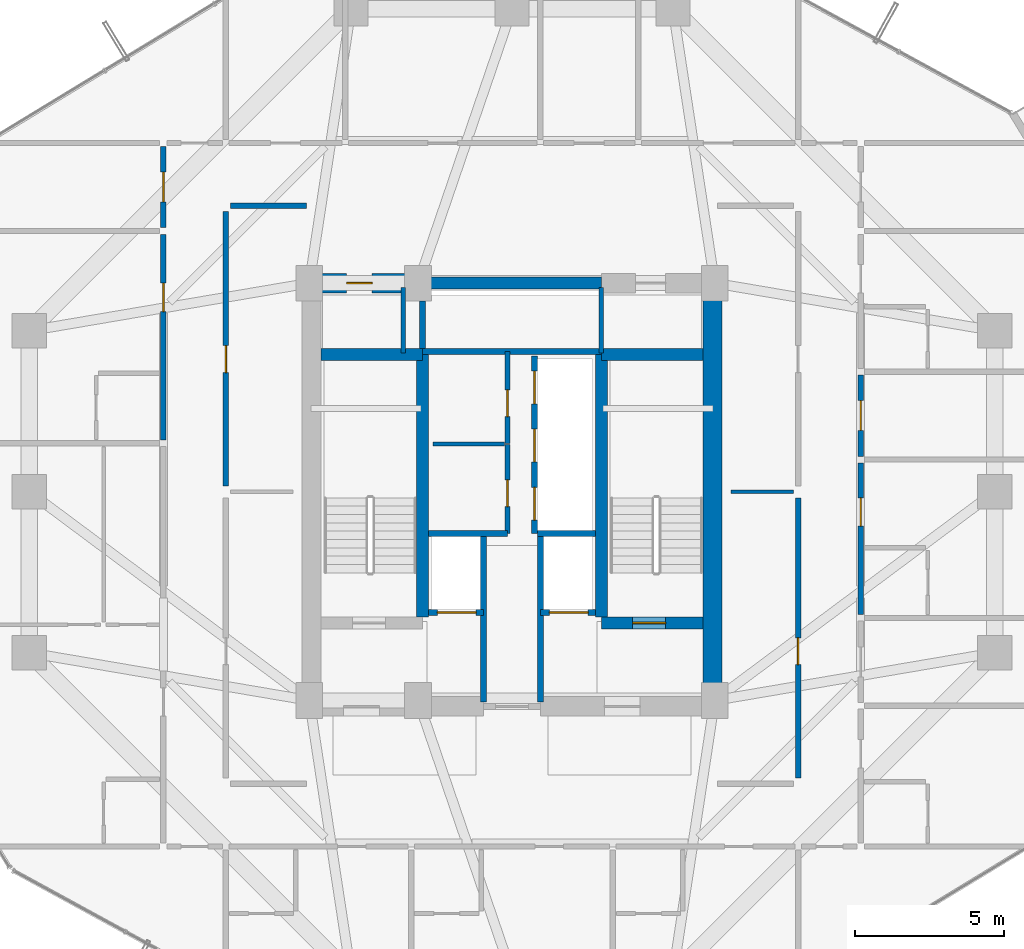
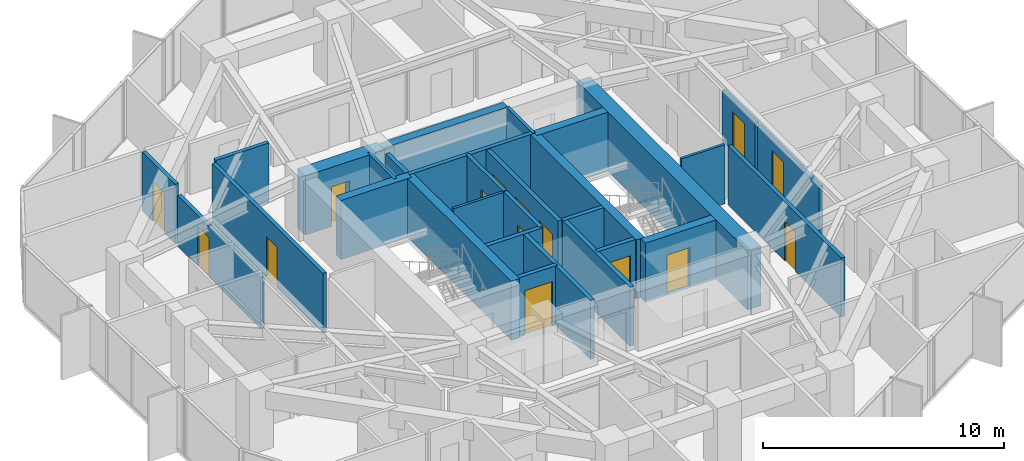
# One storey, part 27 of 31: 30 walls, 15 doors, 15 openings.
"""IFC4 building model written with IfcOpenShell, lengths in metres."""

from ifc_helpers import new_model, si_unit, direction, frame, frame_2d, origin, place, context, subcontext, project, spatial, rectangle, extrude, source, transform, mapped, material, layer, layer_set, type_object, element, fill, save


model = new_model("IFC4")

# Units and contexts
model_context = context("Model", 3, precision=1e-05, world=origin(), true_north=direction((0.0, 1.0)))
body_context = subcontext(model_context, "Body", "Model", "MODEL_VIEW")
ifc_project = project(units=[si_unit("LENGTHUNIT", "METRE"), si_unit("AREAUNIT", "SQUARE_METRE"), si_unit("VOLUMEUNIT", "CUBIC_METRE"), si_unit("PLANEANGLEUNIT", "RADIAN"), si_unit("MASSUNIT", "GRAM", prefix="KILO")], contexts=[model_context])

# Site, building, storey
site_placement = place(None, origin())
site = spatial("IfcSite", under=ifc_project, at=site_placement, CompositionType="ELEMENT")
building_placement = place(site_placement, origin())
building = spatial("IfcBuilding", under=site, at=building_placement, Name="Veraguas Prism Commons", CompositionType="ELEMENT")
storey_placement = place(building_placement, frame((0.0, 0.0, 132.75)))
storey = spatial("IfcBuildingStorey", under=building, at=storey_placement, Name="L37", CompositionType="ELEMENT", Elevation=132.75)

# Wall
ifc_material_1 = material(Name="Concrete C50/60", Category="concrete")
ifc_layer_1 = layer(ifc_material_1, 0.39990234375, Name="Clinic and Mid Core Shear Wall RC 400", Category="concrete")
ifc_layer_set_1 = layer_set([ifc_layer_1], Name="Concrete C50/60")
wall_type_1 = type_object("IfcWallType", Name="Clinic and Mid Core Shear Wall RC 400", PredefinedType="SHEAR", material=ifc_layer_set_1)
wall_1_placement = place(storey_placement, frame((21.0, 31.0, 0.0), z_axis=(0.0, 0.0, 1.0), x_axis=(1.0, 0.0, 0.0)))
element("IfcWall", 1, at=wall_1_placement, inside=storey, type_object=wall_type_1, Name="High-Rise Lift Bank Front Shear Wall L37", PredefinedType="SHEAR", context=body_context, shape_type="SweptSolid", body=[
    extrude(rectangle(XDim=6.0, YDim=0.39990234375, at=frame_2d((3.0, 0.0))), origin(), (0.0, 0.0, 1.0), 3.0),
])

# Wall, opening, door
wall_2_placement = place(storey_placement, frame((27.0, 19.60009765625, 0.0), z_axis=(0.0, 0.0, 1.0), x_axis=(1.0, 0.0, 0.0)))
wall_2 = element("IfcWall", 2, at=wall_2_placement, inside=storey, type_object=wall_type_1, Name="Stair ST-02 South Shear Wall L37", PredefinedType="SHEAR", context=body_context, shape_type="SweptSolid", body=[
    extrude(rectangle(XDim=3.39990234375, YDim=0.39990234375, at=frame_2d((1.699951171875, 0.0))), origin(), (0.0, 0.0, 1.0), 3.0),
])
opening_1_placement = place(wall_2_placement, frame((1.050048828125, 0.0, 0.0)))
opening_1 = element("IfcOpeningElement", 3, at=opening_1_placement, cuts=wall_2, Name="Opening DR-05", PredefinedType="OPENING", context=body_context, shape_type="SweptSolid", body=[
    extrude(rectangle(XDim=1.10009765625, YDim=2.030029296875, at=frame_2d((0.550048828125, 1.01513671875))), frame((0.0, 0.2099609375, 0.0), z_axis=(0.0, -1.0, 0.0), x_axis=(1.0, 0.0, 0.0)), (0.0, 0.0, 1.0), 0.419921875),
])
ifc_material_2 = material(Name="Steel fire-rated door assembly", Category="steel")
door_type_1 = type_object("IfcDoorType", Name="Protected Stair and Refuge Fire Door 1100x2030", OperationType="NOTDEFINED", PredefinedType="DOOR", material=ifc_material_2)
shared_shape_1 = source(origin(), body_context, "Body", "SweptSolid", [
    extrude(rectangle(XDim=1.10009765625, YDim=2.030029296875, at=frame_2d((0.550048828125, 1.01513671875))), frame((0.0, 0.02490234375, 0.0), z_axis=(0.0, -1.0, 0.0), x_axis=(1.0, 0.0, 0.0)), (0.0, 0.0, 1.0), 0.050048828125),
])
door_1_placement = place(opening_1_placement, origin())
door_1 = element("IfcDoor", 4, at=door_1_placement, inside=storey, type_object=door_type_1, Name="Stair ST-02 Enclosure Door L37", OperationType="SINGLE_SWING_RIGHT", OverallHeight=2.030029296875, OverallWidth=1.10009765625, PredefinedType="DOOR", context=body_context, shape_type="MappedRepresentation", body=[
    mapped(shared_shape_1, transform((0.0, 0.0, 0.0), scale=1.0)),
])
fill(opening_1, door_1)

# Walls
for number, where, z_axis, x_axis, name in (
    (5, (21.0, 19.800048828125, 0.0), (0.0, 0.0, 1.0), (0.0, 1.0, 0.0), "Stair ST-01 Inner Shear Wall L37"),
    (6, (27.0, 19.800048828125, 0.0), (0.0, 0.0, 1.0), (0.0, 1.0, 0.0), "Stair ST-02 Inner Shear Wall L37"),
):
    element("IfcWall", number, at=place(storey_placement, frame(where, z_axis=z_axis, x_axis=x_axis)), inside=storey, type_object=wall_type_1, Name=name, PredefinedType="SHEAR", context=body_context, shape_type="SweptSolid", body=[
        extrude(rectangle(XDim=8.800048828125, YDim=0.39990234375, at=frame_2d((4.39990234375, 0.0))), origin(), (0.0, 0.0, 1.0), 3.0),
    ])
for number, where, z_axis, x_axis, name in (
    (7, (17.60009765625, 28.60009765625, 0.0), (0.0, 0.0, 1.0), (1.0, 0.0, 0.0), "Stair ST-01 North Shear Wall L37"),
    (8, (27.0, 28.60009765625, 0.0), (0.0, 0.0, 1.0), (1.0, 0.0, 0.0), "Stair ST-02 North Shear Wall L37"),
):
    element("IfcWall", number, at=place(storey_placement, frame(where, z_axis=z_axis, x_axis=x_axis)), inside=storey, type_object=wall_type_1, Name=name, PredefinedType="SHEAR", context=body_context, shape_type="SweptSolid", body=[
        extrude(rectangle(XDim=3.39990234375, YDim=0.39990234375, at=frame_2d((1.699951171875, 0.0))), origin(), (0.0, 0.0, 1.0), 3.0),
    ])
ifc_material_3 = material(Name="Concrete C55/67", Category="concrete")
ifc_layer_2 = layer(ifc_material_3, 0.64990234375, Name="Core Outer Shear Wall Mid RC 650", Category="concrete")
ifc_layer_set_2 = layer_set([ifc_layer_2], Name="Concrete C55/67")
wall_type_2 = type_object("IfcWallType", Name="Core Outer Shear Wall Mid RC 650", PredefinedType="SHEAR", material=ifc_layer_set_2)
wall_3_placement = place(storey_placement, frame((30.72509765625, 16.800048828125, 0.0), z_axis=(0.0, 0.0, 1.0), x_axis=(0.0, 1.0, 0.0)))
element("IfcWall", 9, at=wall_3_placement, inside=storey, type_object=wall_type_2, Name="Central Core East Shear Wall L37", PredefinedType="SHEAR", context=body_context, shape_type="SweptSolid", body=[
    extrude(rectangle(XDim=14.199951171875, YDim=0.64990234375, at=frame_2d((7.10009765625, 0.0))), origin(), (0.0, 0.0, 1.0), 3.0),
])

# Wall, opening, door
wall_4_placement = place(storey_placement, frame((17.199951171875, 31.0, 0.0), z_axis=(0.0, 0.0, 1.0), x_axis=(1.0, 0.0, 0.0)))
wall_4 = element("IfcWall", 10, at=wall_4_placement, inside=storey, type_object=wall_type_2, Name="Central Core North-West Shear Wall L37", PredefinedType="SHEAR", context=body_context, shape_type="SweptSolid", body=[
    extrude(rectangle(XDim=3.800048828125, YDim=0.64990234375, at=frame_2d((1.89990234375, 0.0))), origin(), (0.0, 0.0, 1.0), 3.0),
])
opening_2_placement = place(wall_4_placement, frame((1.25, 0.0, 0.0)))
opening_2 = element("IfcOpeningElement", 11, at=opening_2_placement, cuts=wall_4, Name="Opening DR-12", PredefinedType="OPENING", context=body_context, shape_type="SweptSolid", body=[
    extrude(rectangle(XDim=0.860107421875, YDim=2.010009765625, at=frame_2d((0.43017578125, 1.0048828125))), frame((0.0, 0.3349609375, 0.0), z_axis=(0.0, -1.0, 0.0), x_axis=(1.0, 0.0, 0.0)), (0.0, 0.0, 1.0), 0.669921875),
])
door_type_2 = type_object("IfcDoorType", Name="Core WC Fire Door 860x2010", OperationType="NOTDEFINED", PredefinedType="DOOR", material=ifc_material_2)
shared_shape_2 = source(origin(), body_context, "Body", "SweptSolid", [
    extrude(rectangle(XDim=0.860107421875, YDim=2.010009765625, at=frame_2d((0.43017578125, 1.0048828125))), frame((0.0, 0.02490234375, 0.0), z_axis=(0.0, -1.0, 0.0), x_axis=(1.0, 0.0, 0.0)), (0.0, 0.0, 1.0), 0.050048828125),
])
door_2_placement = place(opening_2_placement, origin())
door_2 = element("IfcDoor", 12, at=door_2_placement, inside=storey, type_object=door_type_2, Name="Core NW Service Door L37", OperationType="SINGLE_SWING_LEFT", OverallHeight=2.010009765625, OverallWidth=0.860107421875, PredefinedType="DOOR", context=body_context, shape_type="MappedRepresentation", body=[
    mapped(shared_shape_2, transform((0.0, 0.0, 0.0), scale=1.0)),
])
fill(opening_2, door_2)

ifc_material_4 = material(Name="Autoclaved aerated masonry block 10 MPa", Category="masonry")
ifc_layer_3 = layer(ifc_material_4, 0.179931640625, Name="Corridor and Inter-Tenancy Partition 180", Category="masonry")
ifc_layer_set_3 = layer_set([ifc_layer_3], Name="Autoclaved aerated masonry block 10 MPa")
wall_type_3 = type_object("IfcWallType", Name="Corridor and Inter-Tenancy Partition 180", PredefinedType="PARTITIONING", material=ifc_layer_set_3)
wall_5_placement = place(storey_placement, frame((23.85009765625, 22.60009765625, 0.0), z_axis=(0.0, 0.0, 1.0), x_axis=(0.0, 1.0, 0.0)))
wall_5 = element("IfcWall", 13, at=wall_5_placement, inside=storey, type_object=wall_type_3, Name="Co-op Pantry Partition L37", PredefinedType="PARTITIONING", context=body_context, shape_type="SweptSolid", body=[
    extrude(rectangle(XDim=2.97998046875, YDim=0.179931640625, at=frame_2d((1.489990234375, 0.0))), origin(), (0.0, 0.0, 1.0), 3.0),
])
opening_3_placement = place(wall_5_placement, frame((0.89990234375, 0.0, 0.0)))
opening_3 = element("IfcOpeningElement", 14, at=opening_3_placement, cuts=wall_5, Name="Opening DR-14", PredefinedType="OPENING", context=body_context, shape_type="SweptSolid", body=[
    extrude(rectangle(XDim=0.89990234375, YDim=2.010009765625, at=frame_2d((0.449951171875, 1.0048828125))), frame((0.0, 0.099853515625, 0.0), z_axis=(0.0, -1.0, 0.0), x_axis=(1.0, 0.0, 0.0)), (0.0, 0.0, 1.0), 0.199951171875),
])
door_type_3 = type_object("IfcDoorType", Name="Core Service Room Fire Door 900x2010", OperationType="NOTDEFINED", PredefinedType="DOOR", material=ifc_material_2)
shared_shape_3 = source(origin(), body_context, "Body", "SweptSolid", [
    extrude(rectangle(XDim=0.89990234375, YDim=2.010009765625, at=frame_2d((0.449951171875, 1.0048828125))), frame((0.0, 0.02490234375, 0.0), z_axis=(0.0, -1.0, 0.0), x_axis=(1.0, 0.0, 0.0)), (0.0, 0.0, 1.0), 0.050048828125),
])
door_3_placement = place(opening_3_placement, origin())
door_3 = element("IfcDoor", 15, at=door_3_placement, inside=storey, type_object=door_type_3, Name="Co-op Pantry Door L37", OperationType="SINGLE_SWING_LEFT", OverallHeight=2.010009765625, OverallWidth=0.89990234375, PredefinedType="DOOR", context=body_context, shape_type="MappedRepresentation", body=[
    mapped(shared_shape_3, transform((0.0, 0.0, 0.0), scale=1.0)),
])
fill(opening_3, door_3)

wall_6_placement = place(storey_placement, frame((23.85009765625, 25.6201171875, 0.0), z_axis=(0.0, 0.0, 1.0), x_axis=(0.0, 1.0, 0.0)))
wall_6 = element("IfcWall", 16, at=wall_6_placement, inside=storey, type_object=wall_type_3, Name="Bookshop Alcove Partition L37", PredefinedType="PARTITIONING", context=body_context, shape_type="SweptSolid", body=[
    extrude(rectangle(XDim=3.079833984375, YDim=0.179931640625, at=frame_2d((1.5400390625, 0.0))), origin(), (0.0, 0.0, 1.0), 3.0),
])
opening_4_placement = place(wall_6_placement, frame((0.89990234375, 0.0, 0.0)))
opening_4 = element("IfcOpeningElement", 17, at=opening_4_placement, cuts=wall_6, Name="Opening DR-14", PredefinedType="OPENING", context=body_context, shape_type="SweptSolid", body=[
    extrude(rectangle(XDim=0.89990234375, YDim=2.010009765625, at=frame_2d((0.449951171875, 1.0048828125))), frame((0.0, 0.099853515625, 0.0), z_axis=(0.0, -1.0, 0.0), x_axis=(1.0, 0.0, 0.0)), (0.0, 0.0, 1.0), 0.199951171875),
])
door_4_placement = place(opening_4_placement, origin())
door_4 = element("IfcDoor", 18, at=door_4_placement, inside=storey, type_object=door_type_3, Name="Bookshop Alcove Door L37", OperationType="SINGLE_SWING_RIGHT", OverallHeight=2.010009765625, OverallWidth=0.89990234375, PredefinedType="DOOR", context=body_context, shape_type="MappedRepresentation", body=[
    mapped(shared_shape_3, transform((0.0, 0.0, 0.0), scale=1.0)),
])
fill(opening_4, door_4)

wall_7_placement = place(storey_placement, frame((14.39990234375, 24.199951171875, 0.0), z_axis=(0.0, 0.0, 1.0), x_axis=(0.0, 1.0, 0.0)))
wall_7 = element("IfcWall", 19, at=wall_7_placement, inside=storey, type_object=wall_type_3, Name="WL-L37-IRW2", PredefinedType="PARTITIONING", context=body_context, shape_type="SweptSolid", body=[
    extrude(rectangle(XDim=9.199951171875, YDim=0.179931640625, at=frame_2d((4.60009765625, 0.0))), origin(), (0.0, 0.0, 1.0), 3.0),
])
opening_5_placement = place(wall_7_placement, frame((3.800048828125, 0.0, 0.0)))
opening_5 = element("IfcOpeningElement", 20, at=opening_5_placement, cuts=wall_7, Name="Opening DR-14", PredefinedType="OPENING", context=body_context, shape_type="SweptSolid", body=[
    extrude(rectangle(XDim=0.89990234375, YDim=2.010009765625, at=frame_2d((0.449951171875, 1.0048828125))), frame((0.0, 0.099853515625, 0.0), z_axis=(0.0, -1.0, 0.0), x_axis=(1.0, 0.0, 0.0)), (0.0, 0.0, 1.0), 0.199951171875),
])
door_5_placement = place(opening_5_placement, origin())
door_5 = element("IfcDoor", 21, at=door_5_placement, inside=storey, type_object=door_type_3, Name="Co-op Cycle and Pram Store Door L37", OperationType="SINGLE_SWING_RIGHT", OverallHeight=2.010009765625, OverallWidth=0.89990234375, PredefinedType="DOOR", context=body_context, shape_type="MappedRepresentation", body=[
    mapped(shared_shape_3, transform((0.0, 0.0, 0.0), scale=1.0)),
])
fill(opening_5, door_5)

wall_8_placement = place(storey_placement, frame((33.60009765625, 14.39990234375, 0.0), z_axis=(0.0, 0.0, 1.0), x_axis=(0.0, 1.0, 0.0)))
wall_8 = element("IfcWall", 22, at=wall_8_placement, inside=storey, type_object=wall_type_3, Name="WL-L37-IRE1", PredefinedType="PARTITIONING", context=body_context, shape_type="SweptSolid", body=[
    extrude(rectangle(XDim=9.400146484375, YDim=0.179931640625, at=frame_2d((4.7001953125, 0.0))), origin(), (0.0, 0.0, 1.0), 3.0),
])
opening_6_placement = place(wall_8_placement, frame((3.800048828125, 0.0, 0.0)))
opening_6 = element("IfcOpeningElement", 23, at=opening_6_placement, cuts=wall_8, Name="Opening DR-14", PredefinedType="OPENING", context=body_context, shape_type="SweptSolid", body=[
    extrude(rectangle(XDim=0.89990234375, YDim=2.010009765625, at=frame_2d((0.449951171875, 1.0048828125))), frame((0.0, 0.099853515625, 0.0), z_axis=(0.0, -1.0, 0.0), x_axis=(1.0, 0.0, 0.0)), (0.0, 0.0, 1.0), 0.199951171875),
])
door_6_placement = place(opening_6_placement, origin())
door_6 = element("IfcDoor", 24, at=door_6_placement, inside=storey, type_object=door_type_3, Name="Shared Laundry Annex Door L37", OperationType="SINGLE_SWING_LEFT", OverallHeight=2.010009765625, OverallWidth=0.89990234375, PredefinedType="DOOR", context=body_context, shape_type="MappedRepresentation", body=[
    mapped(shared_shape_3, transform((0.0, 0.0, 0.0), scale=1.0)),
])
fill(opening_6, door_6)

# Wall
wall_9_placement = place(storey_placement, frame((14.550048828125, 33.60009765625, 0.0), z_axis=(0.0, 0.0, 1.0), x_axis=(1.0, 0.0, 0.0)))
element("IfcWall", 25, at=wall_9_placement, inside=storey, type_object=wall_type_3, Name="WL-L37-IRWN", PredefinedType="PARTITIONING", context=body_context, shape_type="SweptSolid", body=[
    extrude(rectangle(XDim=2.550048828125, YDim=0.179931640625, at=frame_2d((1.27490234375, 0.0))), origin(), (0.0, 0.0, 1.0), 3.0),
])

# Wall, opening, door
wall_10_placement = place(storey_placement, frame((12.300048828125, 32.860107421875, 0.0), z_axis=(0.0, 0.0, 1.0), x_axis=(0.0, 1.0, 0.0)))
wall_10 = element("IfcWall", 26, at=wall_10_placement, inside=storey, type_object=wall_type_3, Name="WL-L37-PT032", PredefinedType="PARTITIONING", context=body_context, shape_type="SweptSolid", body=[
    extrude(rectangle(XDim=2.72998046875, YDim=0.179931640625, at=frame_2d((1.364990234375, 0.0))), origin(), (0.0, 0.0, 1.0), 3.0),
])
opening_7_placement = place(wall_10_placement, frame((0.864990234375, 0.0, 0.0)))
opening_7 = element("IfcOpeningElement", 27, at=opening_7_placement, cuts=wall_10, Name="Opening DR-13", PredefinedType="OPENING", context=body_context, shape_type="SweptSolid", body=[
    extrude(rectangle(XDim=1.0, YDim=2.010009765625, at=frame_2d((0.5, 1.0048828125))), frame((0.0, 0.099853515625, 0.0), z_axis=(0.0, -1.0, 0.0), x_axis=(1.0, 0.0, 0.0)), (0.0, 0.0, 1.0), 0.199951171875),
])
door_type_4 = type_object("IfcDoorType", Name="Core Accessible WC and Clinic Fire Door 1000x2010", OperationType="NOTDEFINED", PredefinedType="DOOR", material=ifc_material_2)
shared_shape_4 = source(origin(), body_context, "Body", "SweptSolid", [
    extrude(rectangle(XDim=1.0, YDim=2.010009765625, at=frame_2d((0.5, 1.0048828125))), frame((0.0, 0.02490234375, 0.0), z_axis=(0.0, -1.0, 0.0), x_axis=(1.0, 0.0, 0.0)), (0.0, 0.0, 1.0), 0.050048828125),
])
door_7_placement = place(opening_7_placement, origin())
door_7 = element("IfcDoor", 28, at=door_7_placement, inside=storey, type_object=door_type_4, Name="Quiet Study W Door", OperationType="SINGLE_SWING_LEFT", OverallHeight=2.010009765625, OverallWidth=1.0, PredefinedType="DOOR", context=body_context, shape_type="MappedRepresentation", body=[
    mapped(shared_shape_4, transform((0.0, 0.0, 0.0), scale=1.0)),
])
fill(opening_7, door_7)

wall_11_placement = place(storey_placement, frame((12.300048828125, 25.738037109375, 0.0), z_axis=(0.0, 0.0, 1.0), x_axis=(0.0, 1.0, 0.0)))
wall_11 = element("IfcWall", 29, at=wall_11_placement, inside=storey, type_object=wall_type_3, Name="WL-L37-PT034", PredefinedType="PARTITIONING", context=body_context, shape_type="SweptSolid", body=[
    extrude(rectangle(XDim=6.90185546875, YDim=0.179931640625, at=frame_2d((3.450927734375, 0.0))), origin(), (0.0, 0.0, 1.0), 2.580078125),
])
opening_8_placement = place(wall_11_placement, frame((4.30859375, 0.0, 0.0)))
opening_8 = element("IfcOpeningElement", 30, at=opening_8_placement, cuts=wall_11, Name="Opening DR-01", PredefinedType="OPENING", context=body_context, shape_type="SweptSolid", body=[
    extrude(rectangle(XDim=0.949951171875, YDim=2.02001953125, at=frame_2d((0.47509765625, 1.010009765625))), frame((0.0, 0.099853515625, 0.0), z_axis=(0.0, -1.0, 0.0), x_axis=(1.0, 0.0, 0.0)), (0.0, 0.0, 1.0), 0.199951171875),
])
ifc_material_5 = material(Name="Anodised aluminium EN AW-6063 T6", Category="aluminium")
door_type_5 = type_object("IfcDoorType", Name="Apartment Entrance Fire Door 950x2020", OperationType="NOTDEFINED", PredefinedType="DOOR", material=ifc_material_5)
shared_shape_5 = source(origin(), body_context, "Body", "SweptSolid", [
    extrude(rectangle(XDim=0.949951171875, YDim=2.02001953125, at=frame_2d((0.47509765625, 1.010009765625))), frame((0.0, 0.02490234375, 0.0), z_axis=(0.0, -1.0, 0.0), x_axis=(1.0, 0.0, 0.0)), (0.0, 0.0, 1.0), 0.050048828125),
])
door_8_placement = place(opening_8_placement, origin())
door_8 = element("IfcDoor", 31, at=door_8_placement, inside=storey, type_object=door_type_5, Name="Studio 37E Entrance Door", OperationType="SINGLE_SWING_RIGHT", OverallHeight=2.02001953125, OverallWidth=0.949951171875, PredefinedType="DOOR", context=body_context, shape_type="MappedRepresentation", body=[
    mapped(shared_shape_5, transform((0.0, 0.0, 0.0), scale=1.0)),
])
fill(opening_8, door_8)

wall_12_placement = place(storey_placement, frame((35.699951171875, 25.19189453125, 0.0), z_axis=(0.0, 0.0, 1.0), x_axis=(0.0, 1.0, 0.0)))
wall_12 = element("IfcWall", 32, at=wall_12_placement, inside=storey, type_object=wall_type_3, Name="WL-L37-PT045", PredefinedType="PARTITIONING", context=body_context, shape_type="SweptSolid", body=[
    extrude(rectangle(XDim=2.730224609375, YDim=0.179931640625, at=frame_2d((1.365234375, 0.0))), origin(), (0.0, 0.0, 1.0), 2.580078125),
])
opening_9_placement = place(wall_12_placement, frame((0.864990234375, 0.0, 0.0)))
opening_9 = element("IfcOpeningElement", 33, at=opening_9_placement, cuts=wall_12, Name="Opening DR-13", PredefinedType="OPENING", context=body_context, shape_type="SweptSolid", body=[
    extrude(rectangle(XDim=1.0, YDim=2.010009765625, at=frame_2d((0.5, 1.0048828125))), frame((0.0, 0.099853515625, 0.0), z_axis=(0.0, -1.0, 0.0), x_axis=(1.0, 0.0, 0.0)), (0.0, 0.0, 1.0), 0.199951171875),
])
door_9_placement = place(opening_9_placement, origin())
door_9 = element("IfcDoor", 34, at=door_9_placement, inside=storey, type_object=door_type_4, Name="Quiet Study E Door", OperationType="SINGLE_SWING_LEFT", OverallHeight=2.010009765625, OverallWidth=1.0, PredefinedType="DOOR", context=body_context, shape_type="MappedRepresentation", body=[
    mapped(shared_shape_4, transform((0.0, 0.0, 0.0), scale=1.0)),
])
fill(opening_9, door_9)

wall_13_placement = place(storey_placement, frame((35.699951171875, 19.8779296875, 0.0), z_axis=(0.0, 0.0, 1.0), x_axis=(0.0, 1.0, 0.0)))
wall_13 = element("IfcWall", 35, at=wall_13_placement, inside=storey, type_object=wall_type_3, Name="WL-L37-PT047", PredefinedType="PARTITIONING", context=body_context, shape_type="SweptSolid", body=[
    extrude(rectangle(XDim=5.093994140625, YDim=0.179931640625, at=frame_2d((2.546875, 0.0))), origin(), (0.0, 0.0, 1.0), 2.580078125),
])
opening_10_placement = place(wall_13_placement, frame((2.970703125, 0.0, 0.0)))
opening_10 = element("IfcOpeningElement", 36, at=opening_10_placement, cuts=wall_13, Name="Opening DR-01", PredefinedType="OPENING", context=body_context, shape_type="SweptSolid", body=[
    extrude(rectangle(XDim=0.949951171875, YDim=2.02001953125, at=frame_2d((0.47509765625, 1.010009765625))), frame((0.0, 0.099853515625, 0.0), z_axis=(0.0, -1.0, 0.0), x_axis=(1.0, 0.0, 0.0)), (0.0, 0.0, 1.0), 0.199951171875),
])
door_10_placement = place(opening_10_placement, origin())
door_10 = element("IfcDoor", 37, at=door_10_placement, inside=storey, type_object=door_type_5, Name="Studio 37G Entrance Door", OperationType="SINGLE_SWING_RIGHT", OverallHeight=2.02001953125, OverallWidth=0.949951171875, PredefinedType="DOOR", context=body_context, shape_type="MappedRepresentation", body=[
    mapped(shared_shape_5, transform((0.0, 0.0, 0.0), scale=1.0)),
])
fill(opening_10, door_10)

# Walls
ifc_material_6 = material(Name="Lightweight acoustic gypsum board")
ifc_layer_4 = layer(ifc_material_6, 0.125, Name="Internal Apartment Room Partition 125")
ifc_layer_set_4 = layer_set([ifc_layer_4], Name="Lightweight acoustic gypsum board")
wall_type_4 = type_object("IfcWallType", Name="Internal Apartment Room Partition 125", PredefinedType="PARTITIONING", material=ifc_layer_set_4)
wall_14_placement = place(storey_placement, frame((21.35009765625, 25.60009765625, 0.0), z_axis=(0.0, 0.0, 1.0), x_axis=(1.0, 0.0, 0.0)))
element("IfcWall", 38, at=wall_14_placement, inside=storey, type_object=wall_type_4, Name="WL-L37-FRWLM", PredefinedType="PARTITIONING", context=body_context, shape_type="SweptSolid", body=[
    extrude(rectangle(XDim=2.39990234375, YDim=0.125, at=frame_2d((1.199951171875, 0.0))), origin(), (0.0, 0.0, 1.0), 3.0),
])
wall_15_placement = place(storey_placement, frame((31.35009765625, 24.0, 0.0), z_axis=(0.0, 0.0, 1.0), x_axis=(1.0, 0.0, 0.0)))
element("IfcWall", 39, at=wall_15_placement, inside=storey, type_object=wall_type_4, Name="WL-L37-IREM", PredefinedType="PARTITIONING", context=body_context, shape_type="SweptSolid", body=[
    extrude(rectangle(XDim=2.099853515625, YDim=0.125, at=frame_2d((1.0498046875, 0.0))), origin(), (0.0, 0.0, 1.0), 3.0),
])

# Wall, opening, door
ifc_layer_5 = layer(ifc_material_4, 0.199951171875, Name="Rated Shaft and Lobby Block Wall 200", Category="masonry")
ifc_layer_set_5 = layer_set([ifc_layer_5], Name="Autoclaved aerated masonry block 10 MPa")
wall_type_5 = type_object("IfcWallType", Name="Rated Shaft and Lobby Block Wall 200", PredefinedType="SOLIDWALL", material=ifc_layer_set_5)
wall_16_placement = place(storey_placement, frame((21.199951171875, 19.949951171875, 0.0), z_axis=(0.0, 0.0, 1.0), x_axis=(1.0, 0.0, 0.0)))
wall_16 = element("IfcWall", 40, at=wall_16_placement, inside=storey, type_object=wall_type_5, Name="Firefighting Lift FFL-1 Front Wall L37", PredefinedType="SOLIDWALL", context=body_context, shape_type="SweptSolid", body=[
    extrude(rectangle(XDim=1.85009765625, YDim=0.199951171875, at=frame_2d((0.925048828125, 0.0))), origin(), (0.0, 0.0, 1.0), 3.0),
])
opening_11_placement = place(wall_16_placement, frame((0.300048828125, 0.0, 0.0)))
opening_11 = element("IfcOpeningElement", 41, at=opening_11_placement, cuts=wall_16, Name="Opening LD-02", PredefinedType="OPENING", context=body_context, shape_type="SweptSolid", body=[
    extrude(rectangle(XDim=1.300048828125, YDim=2.25, at=frame_2d((0.64990234375, 1.125))), frame((0.0, 0.10986328125, 0.0), z_axis=(0.0, -1.0, 0.0), x_axis=(1.0, 0.0, 0.0)), (0.0, 0.0, 1.0), 0.219970703125),
])
ifc_material_7 = material(Name="Stainless steel AISI 316", Category="steel")
door_type_6 = type_object("IfcDoorType", Name="Firefighting Lift Sliding Landing Door 1300x2250", OperationType="NOTDEFINED", PredefinedType="DOOR", material=ifc_material_7)
shared_shape_6 = source(origin(), body_context, "Body", "SweptSolid", [
    extrude(rectangle(XDim=1.300048828125, YDim=2.25, at=frame_2d((0.64990234375, 1.125))), frame((0.0, 0.02490234375, 0.0), z_axis=(0.0, -1.0, 0.0), x_axis=(1.0, 0.0, 0.0)), (0.0, 0.0, 1.0), 0.050048828125),
])
door_11_placement = place(opening_11_placement, origin())
door_11 = element("IfcDoor", 42, at=door_11_placement, inside=storey, type_object=door_type_6, Name="Firefighting Lift FFL-1 Landing Door L37", OperationType="SLIDING_TO_LEFT", OverallHeight=2.25, OverallWidth=1.300048828125, PredefinedType="DOOR", context=body_context, shape_type="MappedRepresentation", body=[
    mapped(shared_shape_6, transform((0.0, 0.0, 0.0), scale=1.0)),
])
fill(opening_11, door_11)

wall_17_placement = place(storey_placement, frame((24.949951171875, 19.949951171875, 0.0), z_axis=(0.0, 0.0, 1.0), x_axis=(1.0, 0.0, 0.0)))
wall_17 = element("IfcWall", 43, at=wall_17_placement, inside=storey, type_object=wall_type_5, Name="Firefighting Lift FFL-2 Front Wall L37", PredefinedType="SOLIDWALL", context=body_context, shape_type="SweptSolid", body=[
    extrude(rectangle(XDim=1.85009765625, YDim=0.199951171875, at=frame_2d((0.925048828125, 0.0))), origin(), (0.0, 0.0, 1.0), 3.0),
])
opening_12_placement = place(wall_17_placement, frame((0.300048828125, 0.0, 0.0)))
opening_12 = element("IfcOpeningElement", 44, at=opening_12_placement, cuts=wall_17, Name="Opening LD-02", PredefinedType="OPENING", context=body_context, shape_type="SweptSolid", body=[
    extrude(rectangle(XDim=1.300048828125, YDim=2.25, at=frame_2d((0.64990234375, 1.125))), frame((0.0, 0.10986328125, 0.0), z_axis=(0.0, -1.0, 0.0), x_axis=(1.0, 0.0, 0.0)), (0.0, 0.0, 1.0), 0.219970703125),
])
door_12_placement = place(opening_12_placement, origin())
door_12 = element("IfcDoor", 45, at=door_12_placement, inside=storey, type_object=door_type_6, Name="Firefighting Lift FFL-2 Front Wall L37", OperationType="SLIDING_TO_LEFT", OverallHeight=2.25, OverallWidth=1.300048828125, PredefinedType="DOOR", context=body_context, shape_type="MappedRepresentation", body=[
    mapped(shared_shape_6, transform((0.0, 0.0, 0.0), scale=1.0)),
])
fill(opening_12, door_12)

# Walls
for number, where, z_axis, x_axis, name in (
    (46, (23.050048828125, 16.949951171875, 0.0), (0.0, 0.0, 1.0), (0.0, 1.0, 0.0), "West FF Lobby Divider Wall L37"),
    (47, (24.949951171875, 16.949951171875, 0.0), (0.0, 0.0, 1.0), (0.0, 1.0, 0.0), "East FF Lobby Divider Wall L37"),
):
    element("IfcWall", number, at=place(storey_placement, frame(where, z_axis=z_axis, x_axis=x_axis)), inside=storey, type_object=wall_type_5, Name=name, PredefinedType="SOLIDWALL", context=body_context, shape_type="SweptSolid", body=[
        extrude(rectangle(XDim=5.60009765625, YDim=0.199951171875, at=frame_2d((2.800048828125, 0.0))), origin(), (0.0, 0.0, 1.0), 3.0),
    ])
wall_18_placement = place(storey_placement, frame((21.199951171875, 22.60009765625, 0.0), z_axis=(0.0, 0.0, 1.0), x_axis=(1.0, 0.0, 0.0)))
element("IfcWall", 48, at=wall_18_placement, inside=storey, type_object=wall_type_5, Name="Firefighting Lift FFL-1 Rear Wall L37", PredefinedType="SOLIDWALL", context=body_context, shape_type="SweptSolid", body=[
    extrude(rectangle(XDim=2.650146484375, YDim=0.199951171875, at=frame_2d((1.3251953125, 0.0))), origin(), (0.0, 0.0, 1.0), 3.0),
])
wall_19_placement = place(storey_placement, frame((24.85009765625, 22.60009765625, 0.0), z_axis=(0.0, 0.0, 1.0), x_axis=(1.0, 0.0, 0.0)))
element("IfcWall", 49, at=wall_19_placement, inside=storey, type_object=wall_type_5, Name="Firefighting Lift FFL-2 Rear Wall L37", PredefinedType="SOLIDWALL", context=body_context, shape_type="SweptSolid", body=[
    extrude(rectangle(XDim=1.949951171875, YDim=0.199951171875, at=frame_2d((0.97509765625, 0.0))), origin(), (0.0, 0.0, 1.0), 3.0),
])
wall_20_placement = place(storey_placement, frame((21.0, 28.699951171875, 0.0), z_axis=(0.0, 0.0, 1.0), x_axis=(1.0, 0.0, 0.0)))
element("IfcWall", 50, at=wall_20_placement, inside=storey, type_object=wall_type_5, Name="High-Rise Lift Bank Rear Shaft Wall L37", PredefinedType="SOLIDWALL", context=body_context, shape_type="SweptSolid", body=[
    extrude(rectangle(XDim=6.0, YDim=0.199951171875, at=frame_2d((3.0, 0.0))), origin(), (0.0, 0.0, 1.0), 3.0),
])
wall_21_placement = place(storey_placement, frame((21.0, 28.800048828125, 0.0), z_axis=(0.0, 0.0, 1.0), x_axis=(0.0, 1.0, 0.0)))
element("IfcWall", 51, at=wall_21_placement, inside=storey, type_object=wall_type_5, Name="High-Rise Lift Bank West Shaft Wall L37", PredefinedType="SOLIDWALL", context=body_context, shape_type="SweptSolid", body=[
    extrude(rectangle(XDim=1.599853515625, YDim=0.199951171875, at=frame_2d((0.7998046875, 0.0))), origin(), (0.0, 0.0, 1.0), 3.0),
])

# Wall, openings, doors
wall_22_placement = place(storey_placement, frame((24.75, 22.60009765625, 0.0), z_axis=(0.0, 0.0, 1.0), x_axis=(0.0, 1.0, 0.0)))
wall_22 = element("IfcWall", 52, at=wall_22_placement, inside=storey, type_object=wall_type_5, Name="Mid-Rise Lift Bank Front Wall L37", PredefinedType="SOLIDWALL", context=body_context, shape_type="SweptSolid", body=[
    extrude(rectangle(XDim=5.949951171875, YDim=0.199951171875, at=frame_2d((2.97509765625, 0.0))), origin(), (0.0, 0.0, 1.0), 3.0),
])
opening_13_placement = place(wall_22_placement, frame((0.449951171875, 0.0, 0.0)))
opening_13 = element("IfcOpeningElement", 53, at=opening_13_placement, cuts=wall_22, Name="Opening LD-01", PredefinedType="OPENING", context=body_context, shape_type="SweptSolid", body=[
    extrude(rectangle(XDim=1.10009765625, YDim=2.080078125, at=frame_2d((0.550048828125, 1.0400390625))), frame((0.0, 0.10986328125, 0.0), z_axis=(0.0, -1.0, 0.0), x_axis=(1.0, 0.0, 0.0)), (0.0, 0.0, 1.0), 0.219970703125),
])
opening_14_placement = place(wall_22_placement, frame((2.39990234375, 0.0, 0.0)))
opening_14 = element("IfcOpeningElement", 54, at=opening_14_placement, cuts=wall_22, Name="Opening LD-01", PredefinedType="OPENING", context=body_context, shape_type="SweptSolid", body=[
    extrude(rectangle(XDim=1.10009765625, YDim=2.080078125, at=frame_2d((0.550048828125, 1.0400390625))), frame((0.0, 0.10986328125, 0.0), z_axis=(0.0, -1.0, 0.0), x_axis=(1.0, 0.0, 0.0)), (0.0, 0.0, 1.0), 0.219970703125),
])
opening_15_placement = place(wall_22_placement, frame((4.35009765625, 0.0, 0.0)))
opening_15 = element("IfcOpeningElement", 55, at=opening_15_placement, cuts=wall_22, Name="Opening LD-01", PredefinedType="OPENING", context=body_context, shape_type="SweptSolid", body=[
    extrude(rectangle(XDim=1.10009765625, YDim=2.080078125, at=frame_2d((0.550048828125, 1.0400390625))), frame((0.0, 0.10986328125, 0.0), z_axis=(0.0, -1.0, 0.0), x_axis=(1.0, 0.0, 0.0)), (0.0, 0.0, 1.0), 0.219970703125),
])
door_type_7 = type_object("IfcDoorType", Name="Passenger Lift Sliding Landing Door 1100x2080", OperationType="NOTDEFINED", PredefinedType="DOOR", material=ifc_material_7)
shared_shape_7 = source(origin(), body_context, "Body", "SweptSolid", [
    extrude(rectangle(XDim=1.10009765625, YDim=2.080078125, at=frame_2d((0.550048828125, 1.0400390625))), frame((0.0, 0.02490234375, 0.0), z_axis=(0.0, -1.0, 0.0), x_axis=(1.0, 0.0, 0.0)), (0.0, 0.0, 1.0), 0.050048828125),
])
door_13_placement = place(opening_13_placement, origin())
door_13 = element("IfcDoor", 56, at=door_13_placement, inside=storey, type_object=door_type_7, Name="Sliding Landing Door PL-M1 L37", OperationType="SLIDING_TO_LEFT", OverallHeight=2.080078125, OverallWidth=1.10009765625, PredefinedType="DOOR", context=body_context, shape_type="MappedRepresentation", body=[
    mapped(shared_shape_7, transform((0.0, 0.0, 0.0), scale=1.0)),
])
fill(opening_13, door_13)
door_14_placement = place(opening_14_placement, origin())
door_14 = element("IfcDoor", 57, at=door_14_placement, inside=storey, type_object=door_type_7, Name="Sliding Landing Door PL-M2 L37", OperationType="SLIDING_TO_LEFT", OverallHeight=2.080078125, OverallWidth=1.10009765625, PredefinedType="DOOR", context=body_context, shape_type="MappedRepresentation", body=[
    mapped(shared_shape_7, transform((0.0, 0.0, 0.0), scale=1.0)),
])
fill(opening_14, door_14)
door_15_placement = place(opening_15_placement, origin())
door_15 = element("IfcDoor", 58, at=door_15_placement, inside=storey, type_object=door_type_7, Name="Sliding Landing Door PL-M3 L37", OperationType="SLIDING_TO_LEFT", OverallHeight=2.080078125, OverallWidth=1.10009765625, PredefinedType="DOOR", context=body_context, shape_type="MappedRepresentation", body=[
    mapped(shared_shape_7, transform((0.0, 0.0, 0.0), scale=1.0)),
])
fill(opening_15, door_15)

# Walls
ifc_layer_6 = layer(ifc_material_6, 0.14990234375, Name="Wet Room and Clinic Acoustic Partition 150")
ifc_layer_set_6 = layer_set([ifc_layer_6], Name="Lightweight acoustic gypsum board")
wall_type_6 = type_object("IfcWallType", Name="Wet Room and Clinic Acoustic Partition 150", PredefinedType="PARTITIONING", material=ifc_layer_set_6)
for number, where, z_axis, x_axis, name in (
    (59, (20.35009765625, 28.64990234375, 0.0), (0.0, 0.0, 1.0), (0.0, 1.0, 0.0), "Core NW Service Inner Wall L37"),
    (60, (27.0, 28.64990234375, 0.0), (0.0, 0.0, 1.0), (0.0, 1.0, 0.0), "Core NE Service Inner Wall L37"),
):
    element("IfcWall", number, at=place(storey_placement, frame(where, z_axis=z_axis, x_axis=x_axis)), inside=storey, type_object=wall_type_6, Name=name, PredefinedType="PARTITIONING", context=body_context, shape_type="SweptSolid", body=[
        extrude(rectangle(XDim=2.2001953125, YDim=0.14990234375, at=frame_2d((1.10009765625, 0.0))), origin(), (0.0, 0.0, 1.0), 3.0),
    ])

save(model, "model.ifc")
